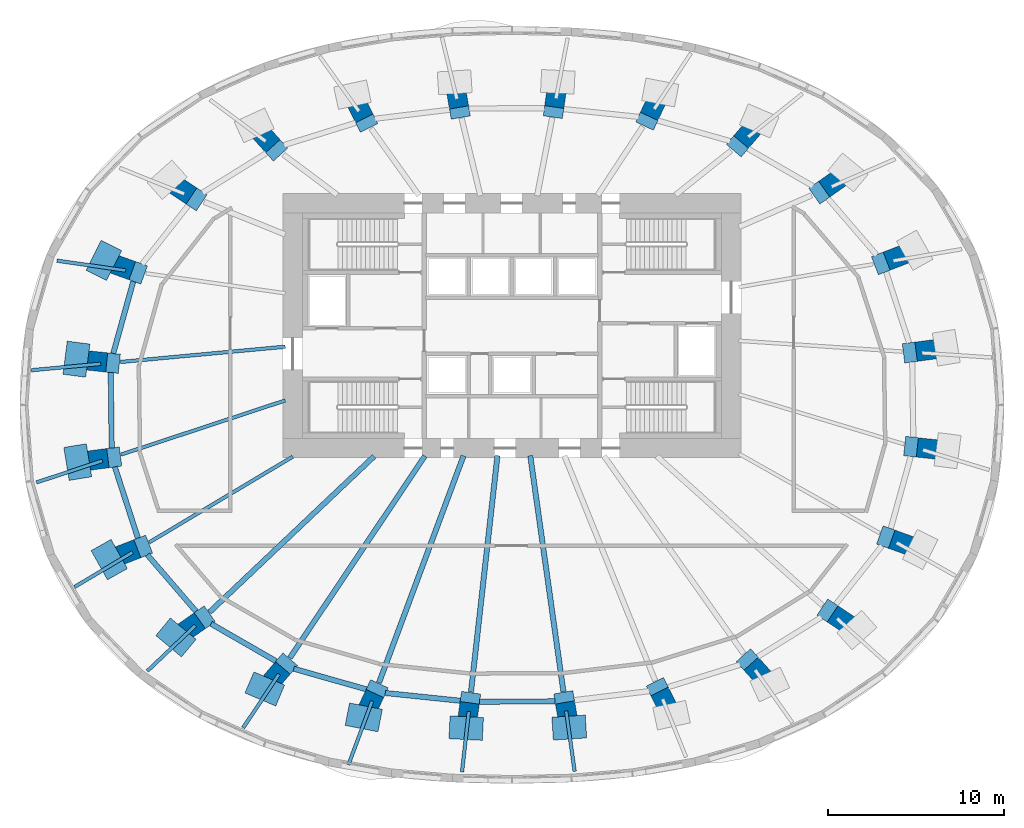
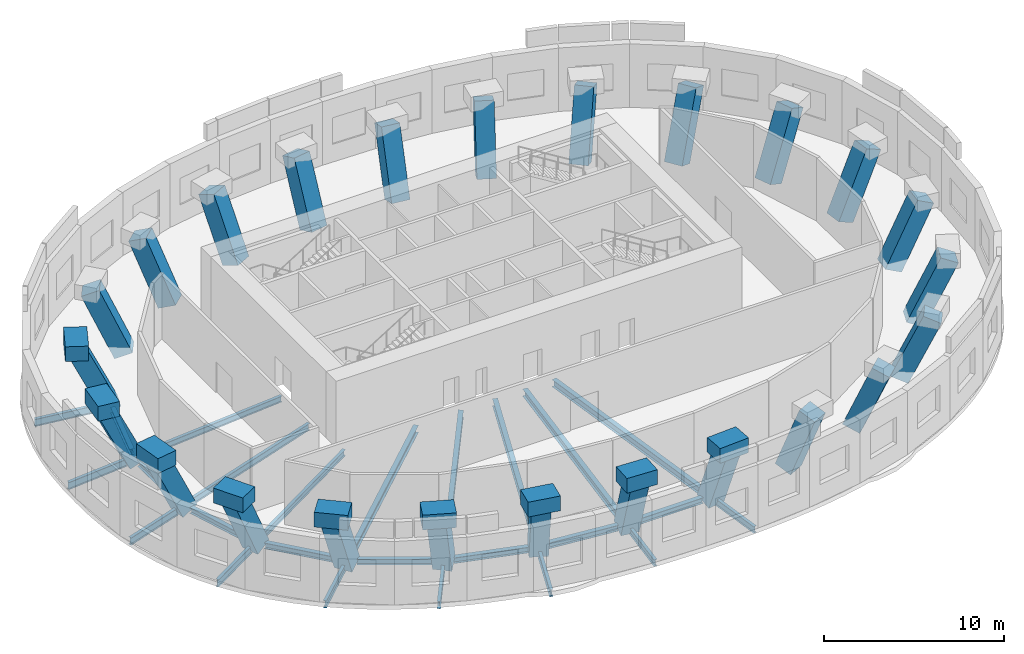
# One storey, part 1 of 9: 34 beams, 24 columns.
"""IFC4 building model written with IfcOpenShell, lengths in metres."""

import ifcopenshell
import ifcopenshell.guid

model = None  # the IFC model being written
_history = None  # IfcOwnerHistory: only IFC2X3 demands one
_inside = {}  # id of a spatial element -> (the spatial element, [elements in it])
_under = {}  # id of a project, library or spatial element -> (it, [spatial elements below it])
_declared = {}  # id of a project -> (the project, [libraries it declares])
_typed = {}  # id of a type object -> (the type object, [elements of that type])
_made_of = {}  # id of a material, layer set ... -> (it, [elements and type objects made of it])


def new_model(schema):
    """Start an empty IFC model of exactly this schema.

    Asked for "IFC4X3", IfcOpenShell would pick the latest addendum, in which some entities
    have other attributes; the version numbers below select the first issue.
    IFC2X3 requires an IfcOwnerHistory on every rooted entity: one is made here for all.
    """
    global model, _history
    if schema == "IFC4X3":
        model = ifcopenshell.file(schema_version=(4, 3, 0, 0))
    else:
        model = ifcopenshell.file(schema=schema)
    _inside.clear()
    _under.clear()
    _declared.clear()
    _typed.clear()
    _made_of.clear()
    _history = None
    if model.schema == "IFC2X3":
        org = make("IfcOrganization", Name="unknown")
        user = make(
            "IfcPersonAndOrganization",
            ThePerson=make("IfcPerson", FamilyName="unknown"),
            TheOrganization=org,
        )
        app = make(
            "IfcApplication",
            ApplicationDeveloper=org,
            Version="unknown",
            ApplicationFullName="unknown",
            ApplicationIdentifier="unknown",
        )
        _history = make(
            "IfcOwnerHistory",
            OwningUser=user,
            OwningApplication=app,
            ChangeAction="ADDED",
            CreationDate=0,
        )
    return model


def make(cls, **values):
    """One entity of the class cls with the attributes given. An attribute that is None is left unset."""
    return model.create_entity(
        cls, **{name: value for name, value in values.items() if value is not None}
    )


def rooted(cls, **values):
    """An entity with a GlobalId (a new one), such as an element, a storey or a relation."""
    return make(cls, GlobalId=ifcopenshell.guid.new(), OwnerHistory=_history, **values)


def si_unit(unit_type, name, prefix=None):
    """IfcSIUnit, for example si_unit("LENGTHUNIT", "METRE", prefix="MILLI")."""
    return make("IfcSIUnit", UnitType=unit_type, Prefix=prefix, Name=name)


def assignment(units):
    """IfcUnitAssignment: the units of a project."""
    return None if units is None else make("IfcUnitAssignment", Units=units)


def point(xyz):
    """IfcCartesianPoint."""
    return None if xyz is None else make("IfcCartesianPoint", Coordinates=xyz)


def direction(xyz):
    """IfcDirection."""
    return None if xyz is None else make("IfcDirection", DirectionRatios=xyz)


def frame(location, z_axis=None, x_axis=None):
    """IfcAxis2Placement3D, a coordinate frame: its origin and axes. An axis left out is left unset."""
    return make(
        "IfcAxis2Placement3D",
        Location=point(location),
        Axis=direction(z_axis),
        RefDirection=direction(x_axis),
    )


def frame_2d(location, x_axis=None):
    """IfcAxis2Placement2D, a coordinate frame in the plane: its origin and x axis."""
    return make(
        "IfcAxis2Placement2D", Location=point(location), RefDirection=direction(x_axis)
    )


def origin():
    """The frame at (0, 0, 0) with its axes left unset."""
    return frame((0.0, 0.0, 0.0))


def origin_2d():
    """The frame at (0, 0) in the plane with its x axis left unset."""
    return frame_2d((0.0, 0.0))


def place(relative_to, where):
    """IfcLocalPlacement: puts the frame where relative to a parent placement (None: the world)."""
    return make(
        "IfcLocalPlacement", PlacementRelTo=relative_to, RelativePlacement=where
    )


def context(
    kind, dimensions, precision=None, world=None, true_north=None, identifier=None
):
    """IfcGeometricRepresentationContext, for example the 3D "Model" context."""
    return make(
        "IfcGeometricRepresentationContext",
        ContextIdentifier=identifier,
        ContextType=kind,
        CoordinateSpaceDimension=dimensions,
        Precision=precision,
        WorldCoordinateSystem=world,
        TrueNorth=true_north,
    )


def subcontext(parent, identifier, kind, view, scale=None):
    """IfcGeometricRepresentationSubContext, for example "Body" below "Model"."""
    return make(
        "IfcGeometricRepresentationSubContext",
        ContextIdentifier=identifier,
        ContextType=kind,
        ParentContext=parent,
        TargetScale=scale,
        TargetView=view,
    )


def project(units=None, contexts=None):
    """IfcProject with its units and contexts."""
    return rooted(
        "IfcProject",
        Name="project",
        RepresentationContexts=contexts,
        UnitsInContext=assignment(units),
    )


def spatial(cls, under=None, at=None, **own):
    """A site, building, storey or space (cls), placed at a placement, below another one or the project."""
    s = rooted(cls, ObjectPlacement=at, **own)
    if under is not None:
        _under.setdefault(under.id(), (under, []))[1].append(s)
    return s


def profile(cls, at=None, kind="AREA", **sizes):
    """A parametric profile (cls). Its sizes go by their IFC names, for example OverallWidth=200.0."""
    return make(cls, ProfileType=kind, Position=at, **sizes)


def rectangle(**sizes):
    """IfcRectangleProfileDef."""
    return profile("IfcRectangleProfileDef", **sizes)


def i_section(**sizes):
    """IfcIShapeProfileDef."""
    return profile("IfcIShapeProfileDef", **sizes)


def extrude(swept, where, along, depth):
    """IfcExtrudedAreaSolid: the profile swept, set in the frame where, extruded along a direction by depth."""
    return make(
        "IfcExtrudedAreaSolid",
        SweptArea=swept,
        Position=where,
        ExtrudedDirection=direction(along),
        Depth=depth,
    )


def shape(context_of_items, identifier, shape_type, items):
    """IfcShapeRepresentation: the items that make up one representation, for example the "Body"."""
    return make(
        "IfcShapeRepresentation",
        ContextOfItems=context_of_items,
        RepresentationIdentifier=identifier,
        RepresentationType=shape_type,
        Items=items,
    )


def material(Name=None, Category=None):
    """IfcMaterial."""
    return make("IfcMaterial", Name=Name, Category=Category)


def material_profile(
    of_material, cross_section, Name=None, Category=None, Priority=None
):
    """IfcMaterialProfile: a cross section and its material."""
    return make(
        "IfcMaterialProfile",
        Name=Name,
        Material=of_material,
        Profile=cross_section,
        Priority=Priority,
        Category=Category,
    )


def profile_set(profiles, Name=None, composite=None):
    """IfcMaterialProfileSet."""
    return make(
        "IfcMaterialProfileSet",
        Name=Name,
        MaterialProfiles=profiles,
        CompositeProfile=composite,
    )


def made_of(thing, what):
    """Note that an element or type object is made of a material, layer set ...; save() writes the relation."""
    if what is not None:
        _made_of.setdefault(what.id(), (what, []))[1].append(thing)
    return thing


def type_object(cls, material=None, **own):
    """A type object (cls), such as IfcWallType, which elements share."""
    return made_of(rooted(cls, **own), material)


def element(
    cls,
    number,
    at=None,
    inside=None,
    cuts=None,
    type_object=None,
    material=None,
    context=None,
    identifier="Body",
    shape_type=None,
    held_by="IfcProductDefinitionShape",
    body=None,
    shapes=None,
    **own,
):
    """One element of the class cls, such as IfcWall. Its Tag is "e" and its number.

    at: its placement. inside: the storey or other place that contains it. cuts: it is an
    opening in that element (IfcRelVoidsElement). A single representation is given by context,
    identifier, shape_type and body (its items); several are given by shapes. held_by: the class
    of the entity that holds the representations. save() writes the other relations.
    """
    e = rooted(cls, Tag="e%d" % number, ObjectPlacement=at, **own)
    if body is not None:
        shapes = [shape(context, identifier, shape_type, body)]
    if shapes is not None:
        e.Representation = make(held_by, Representations=shapes)
    if inside is not None:
        _inside.setdefault(inside.id(), (inside, []))[1].append(e)
    if cuts is not None:
        rooted(
            "IfcRelVoidsElement", RelatingBuildingElement=cuts, RelatedOpeningElement=e
        )
    if type_object is not None:
        _typed.setdefault(type_object.id(), (type_object, []))[1].append(e)
    return made_of(e, material)


def aggregate(whole, parts):
    """IfcRelAggregates: a whole, such as a stair, and the parts it consists of."""
    return rooted("IfcRelAggregates", RelatingObject=whole, RelatedObjects=parts)


def save(model, path):
    """Write the relations noted so far, then the file.

    IfcRelAggregates (storeys below a building ...), IfcRelContainedInSpatialStructure (elements
    in a storey), IfcRelDefinesByType, IfcRelAssociatesMaterial and IfcRelDeclares: one each for
    every whole, place, type object, material and project.
    """
    for whole, parts in _under.values():
        aggregate(whole, parts)
    for where, things in _inside.values():
        rooted(
            "IfcRelContainedInSpatialStructure",
            RelatedElements=things,
            RelatingStructure=where,
        )
    for kind, things in _typed.values():
        rooted("IfcRelDefinesByType", RelatedObjects=things, RelatingType=kind)
    for what, things in _made_of.values():
        rooted("IfcRelAssociatesMaterial", RelatedObjects=things, RelatingMaterial=what)
    for by, libraries in _declared.values():
        rooted("IfcRelDeclares", RelatingContext=by, RelatedDefinitions=libraries)
    model.write(path)


model = new_model("IFC4")

# Units and contexts
model_context = context("Model", 3, precision=1e-05, world=origin(), true_north=direction((0.0, 1.0)))
body_context = subcontext(model_context, "Body", "Model", "MODEL_VIEW")
ifc_project = project(units=[si_unit("LENGTHUNIT", "METRE"), si_unit("AREAUNIT", "SQUARE_METRE"), si_unit("VOLUMEUNIT", "CUBIC_METRE"), si_unit("PLANEANGLEUNIT", "RADIAN"), si_unit("MASSUNIT", "GRAM", prefix="KILO")], contexts=[model_context])

# Site, building, storey
site_placement = place(None, origin())
site = spatial("IfcSite", under=ifc_project, at=site_placement, CompositionType="ELEMENT")
building_placement = place(site_placement, origin())
building = spatial("IfcBuilding", under=site, at=building_placement, Name="Rubra Terraces Tower", CompositionType="ELEMENT")
storey_placement = place(building_placement, frame((0.0, 0.0, 169.5)))
storey = spatial("IfcBuildingStorey", under=building, at=storey_placement, Name="L41", CompositionType="ELEMENT", Elevation=169.5)

# Columns
ifc_material_1 = material(Name="Concrete C50", Category="concrete")
ifc_material_profile_1 = material_profile(ifc_material_1, rectangle(XDim=1.10009765625, YDim=1.10009765625, at=origin_2d()), Name="RC 1100x1100")
ifc_profile_set_1 = profile_set([ifc_material_profile_1], Name="Concrete C50")
column_type = type_object("IfcColumnType", Name="RING COLUMN RC 1100x1100 C50", PredefinedType="COLUMN", material=ifc_profile_set_1)
column_1_placement = place(storey_placement, frame((22.73388671875, 2.992919921875, -0.56005859375), z_axis=(0.424443684134, 0.055960591713, 0.903723393066), x_axis=(-0.130713362485, 0.991420201967, 0.0)))
element("IfcColumn", 1, at=column_1_placement, inside=storey, type_object=column_type, Name="column-L41-ring-01", PredefinedType="COLUMN", context=body_context, shape_type="SweptSolid", body=[
    extrude(rectangle(XDim=1.10009765625, YDim=1.10009765625, at=origin_2d()), origin(), (0.0, 0.0, 1.0), 4.55908203125),
])
column_2_placement = place(storey_placement, frame((21.0810546875, 8.090087890625, -0.56201171875), z_axis=(0.394911202238, 0.153105850406, 0.90587181263), x_axis=(-0.361480683506, 0.932379598367, 0.0)))
element("IfcColumn", 2, at=column_2_placement, inside=storey, type_object=column_type, Name="column-L41-ring-02", PredefinedType="COLUMN", context=body_context, shape_type="SweptSolid", body=[
    extrude(rectangle(XDim=1.10009765625, YDim=1.10009765625, at=origin_2d()), origin(), (0.0, 0.0, 1.0), 4.552490234375),
])
column_3_placement = place(storey_placement, frame((17.583984375, 12.15087890625, -0.572021484375), z_axis=(0.332531725465, 0.233315929766, 0.91377586337), x_axis=(-0.574360318683, 0.818602604639, 0.0)))
element("IfcColumn", 3, at=column_3_placement, inside=storey, type_object=column_type, Name="column-L41-ring-03", PredefinedType="COLUMN", context=body_context, shape_type="SweptSolid", body=[
    extrude(rectangle(XDim=1.10009765625, YDim=1.10009765625, at=origin_2d()), origin(), (0.0, 0.0, 1.0), 4.53515625),
])
column_4_placement = place(storey_placement, frame((12.927001953125, 14.83203125, -0.5859375), z_axis=(0.247177957591, 0.289068857345, 0.924847151152), x_axis=(-0.760029513811, 0.649888558243, 0.0)))
element("IfcColumn", 4, at=column_4_placement, inside=storey, type_object=column_type, Name="column-L41-ring-04", PredefinedType="COLUMN", context=body_context, shape_type="SweptSolid", body=[
    extrude(rectangle(XDim=1.10009765625, YDim=1.10009765625, at=origin_2d()), origin(), (0.0, 0.0, 1.0), 4.510986328125),
])
column_5_placement = place(storey_placement, frame((7.7509765625, 16.306884765625, -0.60009765625), z_axis=(0.149431469431, 0.321095558359, 0.935183339429), x_axis=(-0.906629641713, 0.421927354845, 0.0)))
element("IfcColumn", 5, at=column_5_placement, inside=storey, type_object=column_type, Name="column-L41-ring-05", PredefinedType="COLUMN", context=body_context, shape_type="SweptSolid", body=[
    extrude(rectangle(XDim=1.10009765625, YDim=1.10009765625, at=origin_2d()), origin(), (0.0, 0.0, 1.0), 4.4912109375),
])
column_6_placement = place(storey_placement, frame((2.39208984375, 16.862060546875, -0.610107421875), z_axis=(0.046841241733, 0.333716614068, 0.941508958836), x_axis=(-0.990292415941, 0.138999751544, 0.0)))
element("IfcColumn", 6, at=column_6_placement, inside=storey, type_object=column_type, Name="column-L41-ring-06", PredefinedType="COLUMN", context=body_context, shape_type="SweptSolid", body=[
    extrude(rectangle(XDim=1.10009765625, YDim=1.10009765625, at=origin_2d()), origin(), (0.0, 0.0, 1.0), 4.482421875),
])
column_7_placement = place(storey_placement, frame((-2.9990234375, 16.8359375, -0.60888671875), z_axis=(-0.056869923091, 0.333375411222, 0.941077386319), x_axis=(-0.985759878424, -0.168159038084, 0.0)))
element("IfcColumn", 7, at=column_7_placement, inside=storey, type_object=column_type, Name="column-L41-ring-07", PredefinedType="COLUMN", context=body_context, shape_type="SweptSolid", body=[
    extrude(rectangle(XDim=1.10009765625, YDim=1.10009765625, at=origin_2d()), origin(), (0.0, 0.0, 1.0), 4.48193359375),
])
column_8_placement = place(storey_placement, frame((-8.346923828125, 16.19189453125, -0.59912109375), z_axis=(-0.159354687822, 0.318926702187, 0.934286809337), x_axis=(-0.89454907246, -0.446969749493, 0.0)))
element("IfcColumn", 8, at=column_8_placement, inside=storey, type_object=column_type, Name="column-L41-ring-08", PredefinedType="COLUMN", context=body_context, shape_type="SweptSolid", body=[
    extrude(rectangle(XDim=1.10009765625, YDim=1.10009765625, at=origin_2d()), origin(), (0.0, 0.0, 1.0), 4.493408203125),
])
column_9_placement = place(storey_placement, frame((-13.487060546875, 14.595947265625, -0.583984375), z_axis=(-0.256195674107, 0.284818168637, 0.923711203452), x_axis=(-0.743476713513, -0.66876182342, 0.0)))
element("IfcColumn", 9, at=column_9_placement, inside=storey, type_object=column_type, Name="column-L41-ring-09", PredefinedType="COLUMN", context=body_context, shape_type="SweptSolid", body=[
    extrude(rectangle(XDim=1.10009765625, YDim=1.10009765625, at=origin_2d()), origin(), (0.0, 0.0, 1.0), 4.51220703125),
])
column_10_placement = place(storey_placement, frame((-18.051025390625, 11.762939453125, -0.570068359375), z_axis=(-0.339960985599, 0.226443297406, 0.912770486667), x_axis=(-0.554365652735, -0.832273226211, 0.0)))
element("IfcColumn", 10, at=column_10_placement, inside=storey, type_object=column_type, Name="column-L41-ring-10", PredefinedType="COLUMN", context=body_context, shape_type="SweptSolid", body=[
    extrude(rectangle(XDim=1.10009765625, YDim=1.10009765625, at=origin_2d()), origin(), (0.0, 0.0, 1.0), 4.535888671875),
])
column_11_placement = place(storey_placement, frame((-21.366943359375, 7.553955078125, -0.56201171875), z_axis=(-0.399191098606, 0.144034709541, 0.905483555478), x_axis=(-0.339399243932, -0.940642415171, 0.0)))
element("IfcColumn", 11, at=column_11_placement, inside=storey, type_object=column_type, Name="column-L41-ring-11", PredefinedType="COLUMN", context=body_context, shape_type="SweptSolid", body=[
    extrude(rectangle(XDim=1.10009765625, YDim=1.10009765625, at=origin_2d()), origin(), (0.0, 0.0, 1.0), 4.554443359375),
])
column_12_placement = place(storey_placement, frame((-22.802001953125, 2.388916015625, -0.55908203125), z_axis=(-0.42587525722, 0.046123093895, 0.903605514313), x_axis=(-0.107672267565, -0.994186442674, 0.0)))
element("IfcColumn", 12, at=column_12_placement, inside=storey, type_object=column_type, Name="column-L41-ring-12", PredefinedType="COLUMN", context=body_context, shape_type="SweptSolid", body=[
    extrude(rectangle(XDim=1.10009765625, YDim=1.10009765625, at=origin_2d()), origin(), (0.0, 0.0, 1.0), 4.557373046875),
])
column_13_placement = place(storey_placement, frame((-22.73388671875, -2.992919921875, -0.56005859375), z_axis=(-0.424443684134, -0.055960591713, 0.903723393066), x_axis=(0.130713362485, -0.991420201967, 0.0)))
element("IfcColumn", 13, at=column_13_placement, inside=storey, type_object=column_type, Name="column-L41-ring-13", PredefinedType="COLUMN", context=body_context, shape_type="SweptSolid", body=[
    extrude(rectangle(XDim=1.10009765625, YDim=1.10009765625, at=origin_2d()), origin(), (0.0, 0.0, 1.0), 4.55908203125),
])
column_14_placement = place(storey_placement, frame((-21.0810546875, -8.090087890625, -0.56201171875), z_axis=(-0.394911202238, -0.153105850406, 0.90587181263), x_axis=(0.361480683506, -0.932379598367, 0.0)))
element("IfcColumn", 14, at=column_14_placement, inside=storey, type_object=column_type, Name="column-L41-ring-14", PredefinedType="COLUMN", context=body_context, shape_type="SweptSolid", body=[
    extrude(rectangle(XDim=1.10009765625, YDim=1.10009765625, at=origin_2d()), origin(), (0.0, 0.0, 1.0), 4.552490234375),
])
column_15_placement = place(storey_placement, frame((-17.583984375, -12.15087890625, -0.572021484375), z_axis=(-0.332531725465, -0.233315929766, 0.91377586337), x_axis=(0.574360318683, -0.818602604639, 0.0)))
element("IfcColumn", 15, at=column_15_placement, inside=storey, type_object=column_type, Name="column-L41-ring-15", PredefinedType="COLUMN", context=body_context, shape_type="SweptSolid", body=[
    extrude(rectangle(XDim=1.10009765625, YDim=1.10009765625, at=origin_2d()), origin(), (0.0, 0.0, 1.0), 4.53515625),
])
column_16_placement = place(storey_placement, frame((-12.927001953125, -14.83203125, -0.5859375), z_axis=(-0.247177957591, -0.289068857345, 0.924847151152), x_axis=(0.760029513811, -0.649888558243, 0.0)))
element("IfcColumn", 16, at=column_16_placement, inside=storey, type_object=column_type, Name="column-L41-ring-16", PredefinedType="COLUMN", context=body_context, shape_type="SweptSolid", body=[
    extrude(rectangle(XDim=1.10009765625, YDim=1.10009765625, at=origin_2d()), origin(), (0.0, 0.0, 1.0), 4.510986328125),
])
column_17_placement = place(storey_placement, frame((-7.7509765625, -16.306884765625, -0.60009765625), z_axis=(-0.149431469431, -0.321095558359, 0.935183339429), x_axis=(0.906629641713, -0.421927354845, 0.0)))
element("IfcColumn", 17, at=column_17_placement, inside=storey, type_object=column_type, Name="column-L41-ring-17", PredefinedType="COLUMN", context=body_context, shape_type="SweptSolid", body=[
    extrude(rectangle(XDim=1.10009765625, YDim=1.10009765625, at=origin_2d()), origin(), (0.0, 0.0, 1.0), 4.4912109375),
])
column_18_placement = place(storey_placement, frame((-2.39208984375, -16.862060546875, -0.610107421875), z_axis=(-0.046841241733, -0.333716614068, 0.941508958836), x_axis=(0.990292415941, -0.138999751544, 0.0)))
element("IfcColumn", 18, at=column_18_placement, inside=storey, type_object=column_type, Name="column-L41-ring-18", PredefinedType="COLUMN", context=body_context, shape_type="SweptSolid", body=[
    extrude(rectangle(XDim=1.10009765625, YDim=1.10009765625, at=origin_2d()), origin(), (0.0, 0.0, 1.0), 4.482421875),
])
column_19_placement = place(storey_placement, frame((2.9990234375, -16.8359375, -0.60888671875), z_axis=(0.056869923091, -0.333375411222, 0.941077386319), x_axis=(0.985759878424, 0.168159038084, 0.0)))
element("IfcColumn", 19, at=column_19_placement, inside=storey, type_object=column_type, Name="column-L41-ring-19", PredefinedType="COLUMN", context=body_context, shape_type="SweptSolid", body=[
    extrude(rectangle(XDim=1.10009765625, YDim=1.10009765625, at=origin_2d()), origin(), (0.0, 0.0, 1.0), 4.48193359375),
])
column_20_placement = place(storey_placement, frame((8.346923828125, -16.19189453125, -0.59912109375), z_axis=(0.159354687822, -0.318926702187, 0.934286809337), x_axis=(0.89454907246, 0.446969749493, 0.0)))
element("IfcColumn", 20, at=column_20_placement, inside=storey, type_object=column_type, Name="column-L41-ring-20", PredefinedType="COLUMN", context=body_context, shape_type="SweptSolid", body=[
    extrude(rectangle(XDim=1.10009765625, YDim=1.10009765625, at=origin_2d()), origin(), (0.0, 0.0, 1.0), 4.493408203125),
])
column_21_placement = place(storey_placement, frame((13.487060546875, -14.595947265625, -0.583984375), z_axis=(0.256195674107, -0.284818168637, 0.923711203452), x_axis=(0.743476713513, 0.66876182342, 0.0)))
element("IfcColumn", 21, at=column_21_placement, inside=storey, type_object=column_type, Name="column-L41-ring-21", PredefinedType="COLUMN", context=body_context, shape_type="SweptSolid", body=[
    extrude(rectangle(XDim=1.10009765625, YDim=1.10009765625, at=origin_2d()), origin(), (0.0, 0.0, 1.0), 4.51220703125),
])
column_22_placement = place(storey_placement, frame((18.051025390625, -11.762939453125, -0.570068359375), z_axis=(0.339960985599, -0.226443297406, 0.912770486667), x_axis=(0.554365652735, 0.832273226211, 0.0)))
element("IfcColumn", 22, at=column_22_placement, inside=storey, type_object=column_type, Name="column-L41-ring-22", PredefinedType="COLUMN", context=body_context, shape_type="SweptSolid", body=[
    extrude(rectangle(XDim=1.10009765625, YDim=1.10009765625, at=origin_2d()), origin(), (0.0, 0.0, 1.0), 4.535888671875),
])
column_23_placement = place(storey_placement, frame((21.366943359375, -7.553955078125, -0.56201171875), z_axis=(0.399191098606, -0.144034709541, 0.905483555478), x_axis=(0.339399243932, 0.940642415171, 0.0)))
element("IfcColumn", 23, at=column_23_placement, inside=storey, type_object=column_type, Name="column-L41-ring-23", PredefinedType="COLUMN", context=body_context, shape_type="SweptSolid", body=[
    extrude(rectangle(XDim=1.10009765625, YDim=1.10009765625, at=origin_2d()), origin(), (0.0, 0.0, 1.0), 4.554443359375),
])
column_24_placement = place(storey_placement, frame((22.802001953125, -2.388916015625, -0.55908203125), z_axis=(0.42587525722, -0.046123093895, 0.903605514313), x_axis=(0.107672267565, 0.994186442674, 0.0)))
element("IfcColumn", 24, at=column_24_placement, inside=storey, type_object=column_type, Name="column-L41-ring-24", PredefinedType="COLUMN", context=body_context, shape_type="SweptSolid", body=[
    extrude(rectangle(XDim=1.10009765625, YDim=1.10009765625, at=origin_2d()), origin(), (0.0, 0.0, 1.0), 4.557373046875),
])

# Beams
ifc_material_2 = material(Name="Steel Q355B", Category="steel")
ifc_material_profile_2 = material_profile(ifc_material_2, i_section(OverallWidth=0.198974609375, OverallDepth=0.446044921875, WebThickness=0.008056640625, FlangeThickness=0.011962890625, at=origin_2d()), Name="HN 446x199x8x12")
ifc_profile_set_2 = profile_set([ifc_material_profile_2], Name="Steel Q355B")
beam_type_1 = type_object("IfcBeamType", Name="CANTILEVER BEAM HN 446x199x8x12", PredefinedType="BEAM", material=ifc_profile_set_2)
beam_1_placement = place(storey_placement, frame((-2.452880859375, -17.409912109375, -0.52294921875), z_axis=(-0.111569301644, -0.993756655792, 0.0), x_axis=(0.993756655792, -0.111569301644, 0.0)))
element("IfcBeam", 25, at=beam_1_placement, inside=storey, type_object=beam_type_1, Name="beam-L41-cant-18", PredefinedType="BEAM", context=body_context, shape_type="SweptSolid", body=[
    extrude(i_section(OverallWidth=0.198974609375, OverallDepth=0.446044921875, WebThickness=0.008056640625, FlangeThickness=0.011962890625, at=origin_2d()), origin(), (0.0, 0.0, 1.0), 3.4619140625),
])
beam_2_placement = place(storey_placement, frame((3.075927734375, -17.382080078125, -0.52294921875), z_axis=(0.139292576845, -0.990251270151, 0.0), x_axis=(0.990251270151, 0.139292576845, 0.0)))
element("IfcBeam", 26, at=beam_2_placement, inside=storey, type_object=beam_type_1, Name="beam-L41-cant-19", PredefinedType="BEAM", context=body_context, shape_type="SweptSolid", body=[
    extrude(i_section(OverallWidth=0.198974609375, OverallDepth=0.446044921875, WebThickness=0.008056640625, FlangeThickness=0.011962890625, at=origin_2d()), origin(), (0.0, 0.0, 1.0), 3.46875),
])
ifc_material_profile_3 = material_profile(ifc_material_2, i_section(OverallWidth=0.198974609375, OverallDepth=0.49609375, WebThickness=0.009033203125, FlangeThickness=0.013916015625, at=origin_2d()), Name="HN 496x199x9x14")
ifc_profile_set_3 = profile_set([ifc_material_profile_3], Name="Steel Q355B")
beam_type_2 = type_object("IfcBeamType", Name="CANTILEVER BEAM HN 496x199x9x14", PredefinedType="BEAM", material=ifc_profile_set_3)
beam_3_placement = place(storey_placement, frame((-21.94189453125, 7.635986328125, -0.548095703125), z_axis=(-0.989932179742, 0.141542500725, 0.0), x_axis=(-0.141542500725, -0.989932179742, 0.0)))
element("IfcBeam", 27, at=beam_3_placement, inside=storey, type_object=beam_type_2, Name="beam-L41-cant-11", PredefinedType="BEAM", context=body_context, shape_type="SweptSolid", body=[
    extrude(i_section(OverallWidth=0.198974609375, OverallDepth=0.49609375, WebThickness=0.009033203125, FlangeThickness=0.013916015625, at=origin_2d()), origin(), (0.0, 0.0, 1.0), 3.949951171875),
])
beam_4_placement = place(storey_placement, frame((-23.363037109375, 2.3369140625, -0.548095703125), z_axis=(-0.995746555159, -0.092134672567, 0.0), x_axis=(0.092134672567, -0.995746555159, 0.0)))
element("IfcBeam", 28, at=beam_4_placement, inside=storey, type_object=beam_type_2, Name="beam-L41-cant-12", PredefinedType="BEAM", context=body_context, shape_type="SweptSolid", body=[
    extrude(i_section(OverallWidth=0.198974609375, OverallDepth=0.49609375, WebThickness=0.009033203125, FlangeThickness=0.013916015625, at=origin_2d()), origin(), (0.0, 0.0, 1.0), 3.950927734375),
])
beam_5_placement = place(storey_placement, frame((-23.262939453125, -3.1669921875, -0.548095703125), z_axis=(-0.949686025249, -0.313203533581, 0.0), x_axis=(0.313203533581, -0.949686025249, 0.0)))
element("IfcBeam", 29, at=beam_5_placement, inside=storey, type_object=beam_type_2, Name="beam-L41-cant-13", PredefinedType="BEAM", context=body_context, shape_type="SweptSolid", body=[
    extrude(i_section(OverallWidth=0.198974609375, OverallDepth=0.49609375, WebThickness=0.009033203125, FlangeThickness=0.013916015625, at=origin_2d()), origin(), (0.0, 0.0, 1.0), 3.94970703125),
])
beam_6_placement = place(storey_placement, frame((-21.552978515625, -8.3720703125, -0.548095703125), z_axis=(-0.85851179461, -0.512793816767, 0.0), x_axis=(0.512793816767, -0.85851179461, 0.0)))
element("IfcBeam", 30, at=beam_6_placement, inside=storey, type_object=beam_type_2, Name="beam-L41-cant-14", PredefinedType="BEAM", context=body_context, shape_type="SweptSolid", body=[
    extrude(i_section(OverallWidth=0.198974609375, OverallDepth=0.49609375, WebThickness=0.009033203125, FlangeThickness=0.013916015625, at=origin_2d()), origin(), (0.0, 0.0, 1.0), 3.841552734375),
])
beam_7_placement = place(storey_placement, frame((-17.986083984375, -12.531982421875, -0.548095703125), z_axis=(-0.726120080403, -0.687567908527, 0.0), x_axis=(0.687567908527, -0.726120080403, 0.0)))
element("IfcBeam", 31, at=beam_7_placement, inside=storey, type_object=beam_type_2, Name="beam-L41-cant-15", PredefinedType="BEAM", context=body_context, shape_type="SweptSolid", body=[
    extrude(i_section(OverallWidth=0.198974609375, OverallDepth=0.49609375, WebThickness=0.009033203125, FlangeThickness=0.013916015625, at=origin_2d()), origin(), (0.0, 0.0, 1.0), 3.75537109375),
])
beam_8_placement = place(storey_placement, frame((-13.238037109375, -15.298095703125, -0.548095703125), z_axis=(-0.556101176492, -0.831114601908, 0.0), x_axis=(0.831114601908, -0.556101176492, 0.0)))
element("IfcBeam", 32, at=beam_8_placement, inside=storey, type_object=beam_type_2, Name="beam-L41-cant-16", PredefinedType="BEAM", context=body_context, shape_type="SweptSolid", body=[
    extrude(i_section(OverallWidth=0.198974609375, OverallDepth=0.49609375, WebThickness=0.009033203125, FlangeThickness=0.013916015625, at=origin_2d()), origin(), (0.0, 0.0, 1.0), 3.657470703125),
])
beam_9_placement = place(storey_placement, frame((-7.946044921875, -16.830078125, -0.548095703125), z_axis=(-0.34900656009, -0.937120280975, 0.0), x_axis=(0.937120280975, -0.34900656009, 0.0)))
element("IfcBeam", 33, at=beam_9_placement, inside=storey, type_object=beam_type_2, Name="beam-L41-cant-17", PredefinedType="BEAM", context=body_context, shape_type="SweptSolid", body=[
    extrude(i_section(OverallWidth=0.198974609375, OverallDepth=0.49609375, WebThickness=0.009033203125, FlangeThickness=0.013916015625, at=origin_2d()), origin(), (0.0, 0.0, 1.0), 3.8564453125),
])
ifc_material_profile_4 = material_profile(ifc_material_2, i_section(OverallWidth=0.300048828125, OverallDepth=0.48193359375, WebThickness=0.010986328125, FlangeThickness=0.014892578125, at=origin_2d()), Name="HM 482x300x11x15")
ifc_profile_set_4 = profile_set([ifc_material_profile_4], Name="Steel Q355B")
beam_type_3 = type_object("IfcBeamType", Name="FLOOR BEAM HM 482x300x11x15", PredefinedType="BEAM", material=ifc_profile_set_4)
beam_10_placement = place(storey_placement, frame((-17.181884765625, -11.77001953125, -0.541015625), z_axis=(0.726100153208, 0.687588952436, 0.0), x_axis=(-0.687588952436, 0.726100153208, 0.0)))
element("IfcBeam", 34, at=beam_10_placement, inside=storey, type_object=beam_type_3, Name="beam-L41-floor-15", PredefinedType="BEAM", context=body_context, shape_type="SweptSolid", body=[
    extrude(i_section(OverallWidth=0.300048828125, OverallDepth=0.48193359375, WebThickness=0.010986328125, FlangeThickness=0.014892578125, at=origin_2d()), origin(), (0.0, 0.0, 1.0), 12.87548828125),
])
beam_11_placement = place(storey_placement, frame((-12.615966796875, -14.365966796875, -0.541015625), z_axis=(0.555900449773, 0.831248873649, 0.0), x_axis=(-0.831248873649, 0.555900449773, 0.0)))
element("IfcBeam", 35, at=beam_11_placement, inside=storey, type_object=beam_type_3, Name="beam-L41-floor-16", PredefinedType="BEAM", context=body_context, shape_type="SweptSolid", body=[
    extrude(i_section(OverallWidth=0.300048828125, OverallDepth=0.48193359375, WebThickness=0.010986328125, FlangeThickness=0.014892578125, at=origin_2d()), origin(), (0.0, 0.0, 1.0), 13.793701171875),
])
beam_12_placement = place(storey_placement, frame((-7.555908203125, -15.783935546875, -0.541015625), z_axis=(0.349081226263, 0.937092470075, 0.0), x_axis=(-0.937092470075, 0.349081226263, 0.0)))
element("IfcBeam", 36, at=beam_12_placement, inside=storey, type_object=beam_type_3, Name="beam-L41-floor-17", PredefinedType="BEAM", context=body_context, shape_type="SweptSolid", body=[
    extrude(i_section(OverallWidth=0.300048828125, OverallDepth=0.48193359375, WebThickness=0.010986328125, FlangeThickness=0.014892578125, at=origin_2d()), origin(), (0.0, 0.0, 1.0), 13.76171875),
])
beam_13_placement = place(storey_placement, frame((-2.3310546875, -16.31396484375, -0.541015625), z_axis=(0.111351311584, 0.993781105379, 0.0), x_axis=(-0.993781105379, 0.111351311584, 0.0)))
element("IfcBeam", 37, at=beam_13_placement, inside=storey, type_object=beam_type_3, Name="beam-L41-floor-18", PredefinedType="BEAM", context=body_context, shape_type="SweptSolid", body=[
    extrude(i_section(OverallWidth=0.300048828125, OverallDepth=0.48193359375, WebThickness=0.010986328125, FlangeThickness=0.014892578125, at=origin_2d()), origin(), (0.0, 0.0, 1.0), 13.516845703125),
])
beam_14_placement = place(storey_placement, frame((2.922119140625, -16.2900390625, -0.541015625), z_axis=(-0.139139078011, 0.990272849759, 0.0), x_axis=(-0.990272849759, -0.139139078011, 0.0)))
element("IfcBeam", 38, at=beam_14_placement, inside=storey, type_object=beam_type_3, Name="beam-L41-floor-19", PredefinedType="BEAM", context=body_context, shape_type="SweptSolid", body=[
    extrude(i_section(OverallWidth=0.300048828125, OverallDepth=0.48193359375, WebThickness=0.010986328125, FlangeThickness=0.014892578125, at=origin_2d()), origin(), (0.0, 0.0, 1.0), 13.54052734375),
])
ifc_material_profile_5 = material_profile(ifc_material_2, i_section(OverallWidth=0.199951171875, OverallDepth=0.39990234375, WebThickness=0.008056640625, FlangeThickness=0.012939453125, at=origin_2d()), Name="HN 400x200x8x13")
ifc_profile_set_5 = profile_set([ifc_material_profile_5], Name="Steel Q355B")
beam_type_4 = type_object("IfcBeamType", Name="FLOOR BEAM HN 400x200x8x13", PredefinedType="BEAM", material=ifc_profile_set_5)
beam_15_placement = place(storey_placement, frame((-22.240966796875, 2.44091796875, -0.5), z_axis=(0.995735462061, 0.092254482791, 0.0), x_axis=(-0.092254482791, 0.995735462061, 0.0)))
element("IfcBeam", 39, at=beam_15_placement, inside=storey, type_object=beam_type_4, Name="beam-L41-floor-12", PredefinedType="BEAM", context=body_context, shape_type="SweptSolid", body=[
    extrude(i_section(OverallWidth=0.199951171875, OverallDepth=0.39990234375, WebThickness=0.008056640625, FlangeThickness=0.012939453125, at=origin_2d()), origin(), (0.0, 0.0, 1.0), 9.39990234375),
])
beam_16_placement = place(storey_placement, frame((-20.60888671875, -7.80810546875, -0.5), z_axis=(0.858520950698, 0.51277848747, 0.0), x_axis=(-0.51277848747, 0.858520950698, 0.0)))
element("IfcBeam", 40, at=beam_16_placement, inside=storey, type_object=beam_type_4, Name="beam-L41-floor-14", PredefinedType="BEAM", context=body_context, shape_type="SweptSolid", body=[
    extrude(i_section(OverallWidth=0.199951171875, OverallDepth=0.39990234375, WebThickness=0.008056640625, FlangeThickness=0.012939453125, at=origin_2d()), origin(), (0.0, 0.0, 1.0), 9.49755859375),
])
ifc_material_profile_6 = material_profile(ifc_material_2, i_section(OverallWidth=0.198974609375, OverallDepth=0.446044921875, WebThickness=0.008056640625, FlangeThickness=0.011962890625, at=origin_2d()), Name="HN 446x199x8x12")
ifc_profile_set_6 = profile_set([ifc_material_profile_6], Name="Steel Q355B")
beam_type_5 = type_object("IfcBeamType", Name="FLOOR BEAM HN 446x199x8x12", PredefinedType="BEAM", material=ifc_profile_set_6)
beam_17_placement = place(storey_placement, frame((-22.205078125, -2.819091796875, -0.52294921875), z_axis=(0.949728041792, 0.313076103583, 0.0), x_axis=(-0.313076103583, 0.949728041792, 0.0)))
element("IfcBeam", 41, at=beam_17_placement, inside=storey, type_object=beam_type_5, Name="beam-L41-floor-13", PredefinedType="BEAM", context=body_context, shape_type="SweptSolid", body=[
    extrude(i_section(OverallWidth=0.198974609375, OverallDepth=0.446044921875, WebThickness=0.008056640625, FlangeThickness=0.011962890625, at=origin_2d()), origin(), (0.0, 0.0, 1.0), 9.8125),
])
ifc_material_profile_7 = material_profile(ifc_material_2, i_section(OverallWidth=0.300048828125, OverallDepth=0.389892578125, WebThickness=0.010009765625, FlangeThickness=0.01611328125, at=origin_2d()), Name="HM 390x300x10x16")
ifc_profile_set_7 = profile_set([ifc_material_profile_7], Name="Steel Q355B")
beam_type_6 = type_object("IfcBeamType", Name="SPANDREL BEAM HM 390x300x10x16", PredefinedType="SPANDREL", material=ifc_profile_set_7)
beam_18_placement = place(storey_placement, frame((-21.51708984375, 7.013916015625, -0.4951171875), z_axis=(-0.267626064819, -0.96352285361, 0.0), x_axis=(0.96352285361, -0.267626064819, 0.0)))
element("IfcBeam", 42, at=beam_18_placement, inside=storey, type_object=beam_type_6, Name="beam-L41-spandrel-11", PredefinedType="SPANDREL", context=body_context, shape_type="SweptSolid", body=[
    extrude(i_section(OverallWidth=0.300048828125, OverallDepth=0.389892578125, WebThickness=0.010009765625, FlangeThickness=0.01611328125, at=origin_2d()), origin(), (0.0, 0.0, 1.0), 4.24462890625),
])
beam_19_placement = place(storey_placement, frame((-22.794921875, 1.8330078125, -0.4951171875), z_axis=(0.012634783266, -0.99992017794, 0.0), x_axis=(0.99992017794, 0.012634783266, 0.0)))
element("IfcBeam", 43, at=beam_19_placement, inside=storey, type_object=beam_type_6, Name="beam-L41-spandrel-12", PredefinedType="SPANDREL", context=body_context, shape_type="SweptSolid", body=[
    extrude(i_section(OverallWidth=0.300048828125, OverallDepth=0.389892578125, WebThickness=0.010009765625, FlangeThickness=0.01611328125, at=origin_2d()), origin(), (0.0, 0.0, 1.0), 4.270263671875),
])
beam_20_placement = place(storey_placement, frame((-22.56201171875, -3.52197265625, -0.4951171875), z_axis=(0.308462461648, -0.951236516201, 0.0), x_axis=(0.951236516201, 0.308462461648, 0.0)))
element("IfcBeam", 44, at=beam_20_placement, inside=storey, type_object=beam_type_6, Name="beam-L41-spandrel-13", PredefinedType="SPANDREL", context=body_context, shape_type="SweptSolid", body=[
    extrude(i_section(OverallWidth=0.300048828125, OverallDepth=0.389892578125, WebThickness=0.010009765625, FlangeThickness=0.01611328125, at=origin_2d()), origin(), (0.0, 0.0, 1.0), 4.24072265625),
])
beam_21_placement = place(storey_placement, frame((-20.715087890625, -8.514892578125, -0.4951171875), z_axis=(0.65255344008, -0.757742705567, 0.0), x_axis=(0.757742705567, 0.65255344008, 0.0)))
element("IfcBeam", 45, at=beam_21_placement, inside=storey, type_object=beam_type_6, Name="beam-L41-spandrel-14", PredefinedType="SPANDREL", context=body_context, shape_type="SweptSolid", body=[
    extrude(i_section(OverallWidth=0.300048828125, OverallDepth=0.389892578125, WebThickness=0.010009765625, FlangeThickness=0.01611328125, at=origin_2d()), origin(), (0.0, 0.0, 1.0), 4.240478515625),
])
beam_22_placement = place(storey_placement, frame((-17.10009765625, -12.428955078125, -0.4951171875), z_axis=(0.866560147027, -0.49907265161, 0.0), x_axis=(0.49907265161, 0.866560147027, 0.0)))
element("IfcBeam", 46, at=beam_22_placement, inside=storey, type_object=beam_type_6, Name="beam-L41-spandrel-15", PredefinedType="SPANDREL", context=body_context, shape_type="SweptSolid", body=[
    extrude(i_section(OverallWidth=0.300048828125, OverallDepth=0.389892578125, WebThickness=0.010009765625, FlangeThickness=0.01611328125, at=origin_2d()), origin(), (0.0, 0.0, 1.0), 4.26171875),
])
beam_23_placement = place(storey_placement, frame((-12.39404296875, -14.98388671875, -0.4951171875), z_axis=(0.961693978406, -0.274125321518, 0.0), x_axis=(0.274125321518, 0.961693978406, 0.0)))
element("IfcBeam", 47, at=beam_23_placement, inside=storey, type_object=beam_type_6, Name="beam-L41-spandrel-16", PredefinedType="SPANDREL", context=body_context, shape_type="SweptSolid", body=[
    extrude(i_section(OverallWidth=0.300048828125, OverallDepth=0.389892578125, WebThickness=0.010009765625, FlangeThickness=0.01611328125, at=origin_2d()), origin(), (0.0, 0.0, 1.0), 4.27587890625),
])
beam_24_placement = place(storey_placement, frame((-7.201904296875, -16.364013671875, -0.4951171875), z_axis=(0.994691190497, -0.102904983103, 0.0), x_axis=(0.102904983103, 0.994691190497, 0.0)))
element("IfcBeam", 48, at=beam_24_placement, inside=storey, type_object=beam_type_6, Name="beam-L41-spandrel-17", PredefinedType="SPANDREL", context=body_context, shape_type="SweptSolid", body=[
    extrude(i_section(OverallWidth=0.300048828125, OverallDepth=0.389892578125, WebThickness=0.010009765625, FlangeThickness=0.01611328125, at=origin_2d()), origin(), (0.0, 0.0, 1.0), 4.28466796875),
])
beam_25_placement = place(storey_placement, frame((-1.841064453125, -16.85888671875, -0.4951171875), z_axis=(0.999989371096, 0.004610606731, 0.0), x_axis=(-0.004610606731, 0.999989371096, 0.0)))
element("IfcBeam", 49, at=beam_25_placement, inside=storey, type_object=beam_type_6, Name="beam-L41-spandrel-18", PredefinedType="SPANDREL", context=body_context, shape_type="SweptSolid", body=[
    extrude(i_section(OverallWidth=0.300048828125, OverallDepth=0.389892578125, WebThickness=0.010009765625, FlangeThickness=0.01611328125, at=origin_2d()), origin(), (0.0, 0.0, 1.0), 4.2890625),
])
ifc_material_profile_8 = material_profile(ifc_material_1, rectangle(XDim=1.300048828125, YDim=1.0, at=origin_2d()), Name="RC 1300x1000")
ifc_profile_set_8 = profile_set([ifc_material_profile_8], Name="Concrete C50")
beam_type_7 = type_object("IfcBeamType", Name="TRANSFER NODE RC 1300x1000 C50", PredefinedType="BEAM", material=ifc_profile_set_8)
beam_26_placement = place(storey_placement, frame((-22.757080078125, 9.05810546875, 3.800048828125), z_axis=(-0.450551702799, -0.892750336379, 0.0), x_axis=(0.892750336379, -0.450551702799, 0.0)))
element("IfcBeam", 50, at=beam_26_placement, inside=storey, type_object=beam_type_7, Name="node-L41-hi-11", PredefinedType="BEAM", context=body_context, shape_type="SweptSolid", body=[
    extrude(rectangle(XDim=1.300048828125, YDim=1.0, at=origin_2d()), origin(), (0.0, 0.0, 1.0), 1.89990234375),
])
beam_27_placement = place(storey_placement, frame((-24.62109375, 3.541015625, 3.800048828125), z_axis=(-0.128383169045, -0.991724640163, 0.0), x_axis=(0.991724640163, -0.128383169045, 0.0)))
element("IfcBeam", 51, at=beam_27_placement, inside=storey, type_object=beam_type_7, Name="node-L41-hi-12", PredefinedType="BEAM", context=body_context, shape_type="SweptSolid", body=[
    extrude(rectangle(XDim=1.300048828125, YDim=1.0, at=origin_2d()), origin(), (0.0, 0.0, 1.0), 1.899658203125),
])
beam_28_placement = place(storey_placement, frame((-24.822021484375, -2.31005859375, 3.800048828125), z_axis=(0.160940402195, -0.986964126471, 0.0), x_axis=(0.986964126471, 0.160940402195, 0.0)))
element("IfcBeam", 52, at=beam_28_placement, inside=storey, type_object=beam_type_7, Name="node-L41-hi-13", PredefinedType="BEAM", context=body_context, shape_type="SweptSolid", body=[
    extrude(rectangle(XDim=1.300048828125, YDim=1.0, at=origin_2d()), origin(), (0.0, 0.0, 1.0), 1.900634765625),
])
beam_29_placement = place(storey_placement, frame((-23.343017578125, -7.9580078125, 3.800048828125), z_axis=(0.488411631114, -0.872613361457, 0.0), x_axis=(0.872613361457, 0.488411631114, 0.0)))
element("IfcBeam", 53, at=beam_29_placement, inside=storey, type_object=beam_type_7, Name="node-L41-hi-14", PredefinedType="BEAM", context=body_context, shape_type="SweptSolid", body=[
    extrude(rectangle(XDim=1.300048828125, YDim=1.0, at=origin_2d()), origin(), (0.0, 0.0, 1.0), 1.89990234375),
])
beam_30_placement = place(storey_placement, frame((-19.822021484375, -12.60205078125, 3.800048828125), z_axis=(0.768937500711, -0.639323955441, 0.0), x_axis=(0.639323955441, 0.768937500711, 0.0)))
element("IfcBeam", 54, at=beam_30_placement, inside=storey, type_object=beam_type_7, Name="node-L41-hi-15", PredefinedType="BEAM", context=body_context, shape_type="SweptSolid", body=[
    extrude(rectangle(XDim=1.300048828125, YDim=1.0, at=origin_2d()), origin(), (0.0, 0.0, 1.0), 1.898681640625),
])
beam_31_placement = place(storey_placement, frame((-14.916015625, -15.763916015625, 3.800048828125), z_axis=(0.920099461233, -0.391684798581, 0.0), x_axis=(0.391684798581, 0.920099461233, 0.0)))
element("IfcBeam", 55, at=beam_31_placement, inside=storey, type_object=beam_type_7, Name="node-L41-hi-16", PredefinedType="BEAM", context=body_context, shape_type="SweptSolid", body=[
    extrude(rectangle(XDim=1.300048828125, YDim=1.0, at=origin_2d()), origin(), (0.0, 0.0, 1.0), 1.89990234375),
])
beam_32_placement = place(storey_placement, frame((-9.35498046875, -17.568115234375, 3.800048828125), z_axis=(0.981714861556, -0.190357376008, 0.0), x_axis=(0.190357376008, 0.981714861556, 0.0)))
element("IfcBeam", 56, at=beam_32_placement, inside=storey, type_object=beam_type_7, Name="node-L41-hi-17", PredefinedType="BEAM", context=body_context, shape_type="SweptSolid", body=[
    extrude(rectangle(XDim=1.300048828125, YDim=1.0, at=origin_2d()), origin(), (0.0, 0.0, 1.0), 1.900634765625),
])
beam_33_placement = place(storey_placement, frame((-3.551025390625, -18.31103515625, 3.800048828125), z_axis=(0.998775935187, -0.049463433888, 0.0), x_axis=(0.049463433888, 0.998775935187, 0.0)))
element("IfcBeam", 57, at=beam_33_placement, inside=storey, type_object=beam_type_7, Name="node-L41-hi-18", PredefinedType="BEAM", context=body_context, shape_type="SweptSolid", body=[
    extrude(rectangle(XDim=1.300048828125, YDim=1.0, at=origin_2d()), origin(), (0.0, 0.0, 1.0), 1.900390625),
])
beam_34_placement = place(storey_placement, frame((2.305908203125, -18.389892578125, 3.800048828125), z_axis=(0.998007315296, 0.063098324982, 0.0), x_axis=(-0.063098324982, 0.998007315296, 0.0)))
element("IfcBeam", 58, at=beam_34_placement, inside=storey, type_object=beam_type_7, Name="node-L41-hi-19", PredefinedType="BEAM", context=body_context, shape_type="SweptSolid", body=[
    extrude(rectangle(XDim=1.300048828125, YDim=1.0, at=origin_2d()), origin(), (0.0, 0.0, 1.0), 1.89990234375),
])

save(model, "model.ifc")
